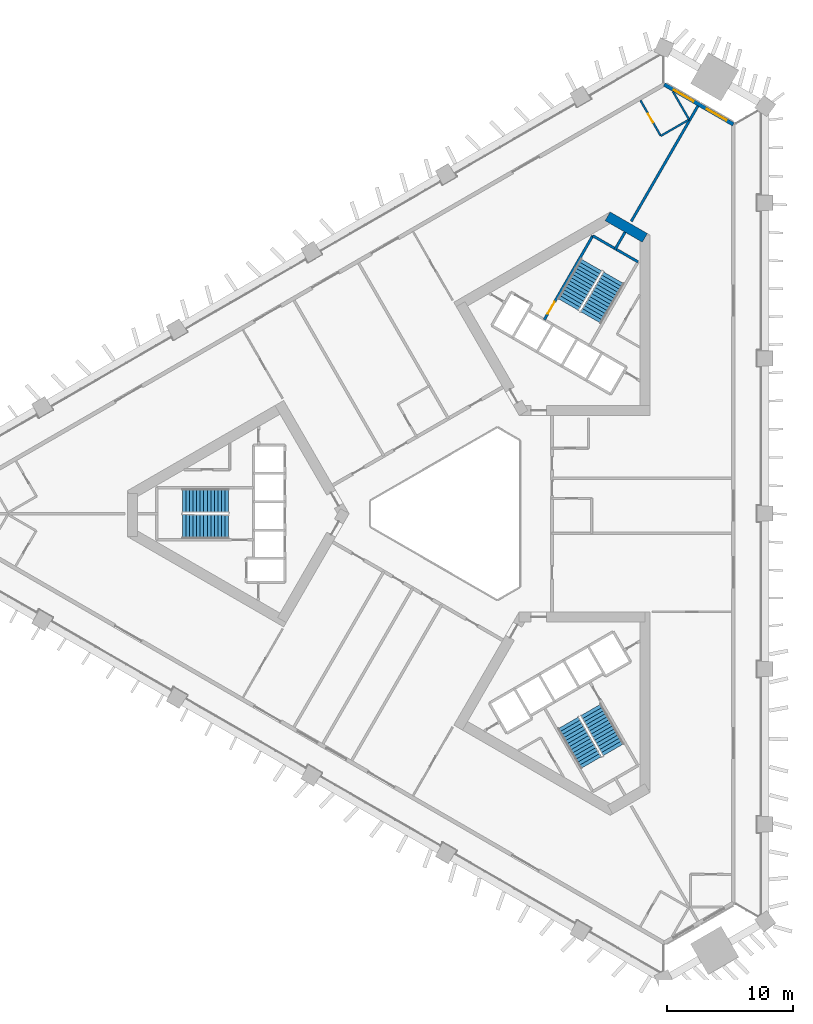
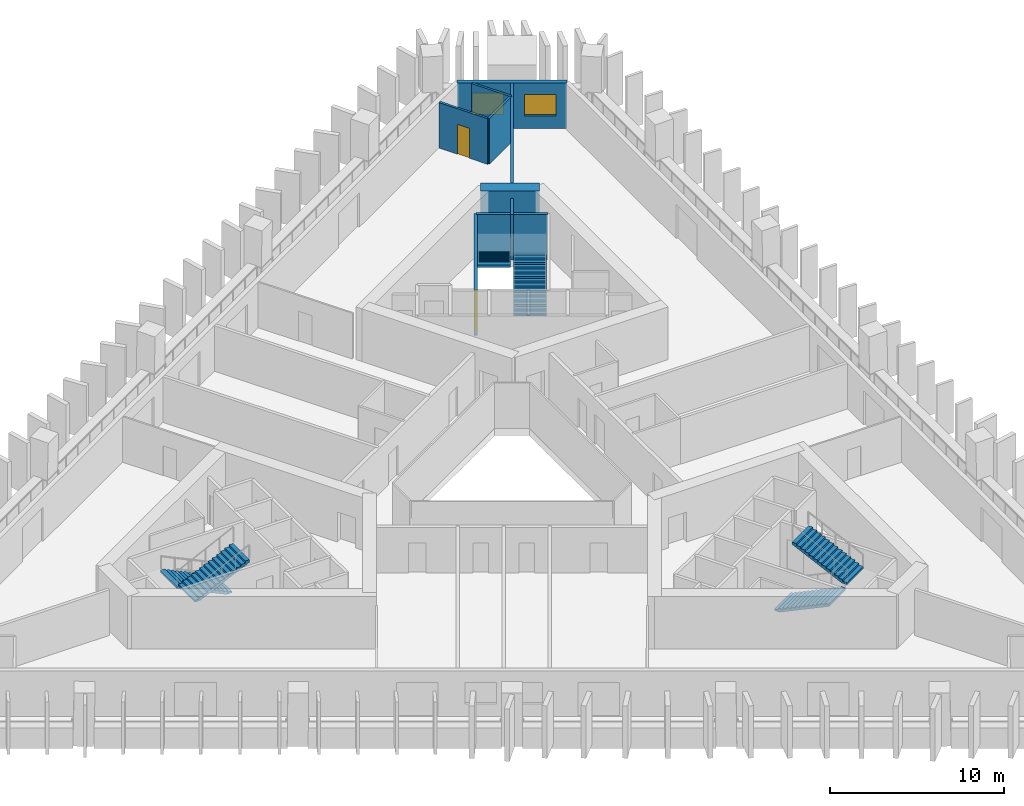
# One storey, part 6 of 10: 9 walls, 6 stair flights, 2 doors, 2 windows, 4 openings, 3 elements without a shape of their own.
"""IFC4 building model written with IfcOpenShell, lengths in metres."""

from ifc_helpers import new_model, si_unit, direction, frame, frame_2d, origin, place, context, subcontext, project, spatial, polyline, rectangle, outline, extrude, material, layer, layer_set, type_object, element, fill, aggregate, save


model = new_model("IFC4")

# Units and contexts
model_context = context("Model", 3, precision=1e-05, world=origin(), true_north=direction((0.0, 1.0)))
body_context = subcontext(model_context, "Body", "Model", "MODEL_VIEW")
ifc_project = project(units=[si_unit("LENGTHUNIT", "METRE"), si_unit("AREAUNIT", "SQUARE_METRE"), si_unit("VOLUMEUNIT", "CUBIC_METRE"), si_unit("PLANEANGLEUNIT", "RADIAN"), si_unit("MASSUNIT", "GRAM", prefix="KILO")], contexts=[model_context])

# Site, building, storey
site_placement = place(None, origin())
site = spatial("IfcSite", under=ifc_project, at=site_placement, CompositionType="ELEMENT")
building_placement = place(site_placement, origin())
building = spatial("IfcBuilding", under=site, at=building_placement, Name="Jabali Bay Hotel Tower and Convention Centre", CompositionType="ELEMENT")
storey_placement = place(building_placement, frame((0.0, 0.0, 30.0)))
storey = spatial("IfcBuildingStorey", under=building, at=storey_placement, Name="L05", CompositionType="ELEMENT", Elevation=30.0)

# Wall
ifc_material_1 = material(Name="Concrete C40", Category="concrete")
ifc_layer_1 = layer(ifc_material_1, 0.199951171875)
ifc_layer_set_1 = layer_set([ifc_layer_1], Name="Concrete C40")
wall_type_1 = type_object("IfcWallType", Name="Core partition wall 200", PredefinedType="PARTITIONING", material=ifc_layer_set_1)
wall_1_placement = place(storey_placement, frame((87.090087890625, 100.9404296875, 0.0), z_axis=(0.0, 0.0, 1.0), x_axis=(0.499956811548, 0.866050337213, 0.0)))
element("IfcWall", 1, at=wall_1_placement, inside=storey, type_object=wall_type_1, Name="Core wall 1.5 L05", PredefinedType="PARTITIONING", context=body_context, shape_type="SweptSolid", body=[
    extrude(rectangle(XDim=1.623291015625, YDim=0.199951171875, at=frame_2d((0.8115234375, 0.0))), origin(), (0.0, 0.0, 1.0), 3.199951171875),
])

# Wall, opening, door
ifc_layer_2 = layer(ifc_material_1, 0.199951171875)
ifc_layer_set_2 = layer_set([ifc_layer_2], Name="Concrete C40")
wall_type_2 = type_object("IfcWallType", Name="Core stair wall 200", PredefinedType="SOLIDWALL", material=ifc_layer_set_2)
wall_2_placement = place(storey_placement, frame((81.492919921875, 95.396240234375, 0.0), z_axis=(0.0, 0.0, 1.0), x_axis=(0.500006057782, 0.866021906294, 0.0)))
wall_2 = element("IfcWall", 2, at=wall_2_placement, inside=storey, type_object=wall_type_2, Name="Core wall 1.7 L05", PredefinedType="SOLIDWALL", context=body_context, shape_type="SweptSolid", body=[
    extrude(rectangle(XDim=7.7001953125, YDim=0.199951171875, at=frame_2d((3.85009765625, 0.0))), origin(), (0.0, 0.0, 1.0), 3.199951171875),
])
opening_1_placement = place(wall_2_placement, frame((0.550048828125, 0.0, 0.0)))
opening_1 = element("IfcOpeningElement", 3, at=opening_1_placement, cuts=wall_2, Name="Opening D208", PredefinedType="OPENING", context=body_context, shape_type="SweptSolid", body=[
    extrude(rectangle(XDim=1.10009765625, YDim=2.10009765625, at=frame_2d((0.550048828125, 1.050048828125))), frame((0.0, 0.1103515625, 0.0), z_axis=(0.0, -1.0, 0.0), x_axis=(1.0, 0.0, 0.0)), (0.0, 0.0, 1.0), 0.220947265625),
])
ifc_material_2 = material(Name="Fire-rated steel door", Category="steel")
door_type_1 = type_object("IfcDoorType", Name="Stair fire door 1100 x 2100", OperationType="NOTDEFINED", PredefinedType="NOTDEFINED", material=ifc_material_2)
door_1_placement = place(opening_1_placement, origin())
door_1 = element("IfcDoor", 4, at=door_1_placement, inside=storey, type_object=door_type_1, Name="Stair fire door D208", OperationType="SINGLE_SWING_RIGHT", OverallHeight=2.10009765625, OverallWidth=1.10009765625, PredefinedType="NOTDEFINED", context=body_context, shape_type="SweptSolid", body=[
    extrude(rectangle(XDim=1.10009765625, YDim=2.10009765625, at=frame_2d((0.550048828125, 1.050048828125))), frame((0.0, 0.02490234375, 0.0), z_axis=(0.0, -1.0, 0.0), x_axis=(1.0, 0.0, 0.0)), (0.0, 0.0, 1.0), 0.050048828125),
])
fill(opening_1, door_1)

# Walls
wall_3_placement = place(storey_placement, frame((88.93701171875, 99.989501953125, 0.0), z_axis=(0.0, 0.0, 1.0), x_axis=(-0.866004344652, 0.500036473714, 0.0)))
element("IfcWall", 5, at=wall_3_placement, inside=storey, type_object=wall_type_2, Name="Core wall 1.16 L05", PredefinedType="SOLIDWALL", context=body_context, shape_type="SweptSolid", body=[
    extrude(rectangle(XDim=4.150146484375, YDim=0.199951171875, at=frame_2d((2.0751953125, 0.0))), origin(), (0.0, 0.0, 1.0), 3.199951171875),
])
ifc_material_3 = material(Name="Concrete C60", Category="concrete")
ifc_layer_3 = layer(ifc_material_3, 0.800048828125)
ifc_layer_set_3 = layer_set([ifc_layer_3], Name="Concrete C60")
wall_type_3 = type_object("IfcWallType", Name="Core wall 800", PredefinedType="SHEAR", material=ifc_layer_set_3)
wall_4_placement = place(storey_placement, frame((89.47998046875, 101.896728515625, 0.0), z_axis=(0.0, 0.0, 1.0), x_axis=(-0.866034355626, 0.499984494636, 0.0)))
element("IfcWall", 6, at=wall_4_placement, inside=storey, type_object=wall_type_3, Name="Core wall 2.3 L05", PredefinedType="SHEAR", context=body_context, shape_type="SweptSolid", body=[
    extrude(rectangle(XDim=3.4140625, YDim=0.800048828125, at=frame_2d((1.70703125, 0.0))), origin(), (0.0, 0.0, 1.0), 3.699951171875),
])

# Wall, openings, windows
ifc_layer_4 = layer(ifc_material_1, 0.300048828125)
ifc_layer_set_4 = layer_set([ifc_layer_4], Name="Concrete C40")
wall_type_4 = type_object("IfcWallType", Name="External wall 300", PredefinedType="SOLIDWALL", material=ifc_layer_set_4)
wall_5_placement = place(storey_placement, frame((91.020751953125, 114.07568359375, 0.0), z_axis=(0.0, 0.0, 1.0), x_axis=(0.866033291922, -0.499986337096, 0.0)))
wall_5 = element("IfcWall", 7, at=wall_5_placement, inside=storey, type_object=wall_type_4, Name="External wall north-east chamfer L05", PredefinedType="SOLIDWALL", context=body_context, shape_type="SweptSolid", body=[
    extrude(rectangle(XDim=6.326904296875, YDim=0.300048828125, at=frame_2d((3.16357421875, 0.0))), origin(), (0.0, 0.0, 1.0), 3.199951171875),
])
opening_2_placement = place(wall_5_placement, frame((0.86279296875, 0.0, 0.89990234375)))
opening_2 = element("IfcOpeningElement", 8, at=opening_2_placement, cuts=wall_5, Name="Opening W1", PredefinedType="OPENING", context=body_context, shape_type="SweptSolid", body=[
    extrude(rectangle(XDim=1.800048828125, YDim=1.5, at=frame_2d((0.89990234375, 0.75))), frame((0.0, 0.16064453125, 0.0), z_axis=(0.0, -1.0, 0.0), x_axis=(1.0, 0.0, 0.0)), (0.0, 0.0, 1.0), 0.321044921875),
])
opening_3_placement = place(wall_5_placement, frame((3.887939453125, 0.0, 0.89990234375)))
opening_3 = element("IfcOpeningElement", 9, at=opening_3_placement, cuts=wall_5, Name="Opening W1", PredefinedType="OPENING", context=body_context, shape_type="SweptSolid", body=[
    extrude(rectangle(XDim=1.800048828125, YDim=1.5, at=frame_2d((0.89990234375, 0.75))), frame((0.0, 0.16064453125, 0.0), z_axis=(0.0, -1.0, 0.0), x_axis=(1.0, 0.0, 0.0)), (0.0, 0.0, 1.0), 0.321044921875),
])
ifc_material_4 = material(Name="Glass", Category="glass")
window_type = type_object("IfcWindowType", Name="Window 1800 x 1500", PartitioningType="SINGLE_PANEL", PredefinedType="WINDOW", material=ifc_material_4)
window_1_placement = place(opening_2_placement, origin())
window_1 = element("IfcWindow", 10, at=window_1_placement, inside=storey, type_object=window_type, Name="Window 504", OverallHeight=1.5, OverallWidth=1.800048828125, PartitioningType="SINGLE_PANEL", PredefinedType="WINDOW", context=body_context, shape_type="SweptSolid", body=[
    extrude(rectangle(XDim=1.800048828125, YDim=1.5, at=frame_2d((0.89990234375, 0.75))), frame((0.0, 0.030029296875, 0.0), z_axis=(0.0, -1.0, 0.0), x_axis=(1.0, 0.0, 0.0)), (0.0, 0.0, 1.0), 0.06005859375),
])
fill(opening_2, window_1)
window_2_placement = place(opening_3_placement, origin())
window_2 = element("IfcWindow", 11, at=window_2_placement, inside=storey, type_object=window_type, Name="Window 503", OverallHeight=1.5, OverallWidth=1.800048828125, PartitioningType="SINGLE_PANEL", PredefinedType="WINDOW", context=body_context, shape_type="SweptSolid", body=[
    extrude(rectangle(XDim=1.800048828125, YDim=1.5, at=frame_2d((0.89990234375, 0.75))), frame((0.0, 0.030029296875, 0.0), z_axis=(0.0, -1.0, 0.0), x_axis=(1.0, 0.0, 0.0)), (0.0, 0.0, 1.0), 0.06005859375),
])
fill(opening_3, window_2)

# Walls
ifc_material_5 = material(Name="Plasterboard on steel stud", Category="steel")
ifc_layer_5 = layer(ifc_material_5, 0.14990234375)
ifc_layer_set_5 = layer_set([ifc_layer_5], Name="Plasterboard on steel stud")
wall_type_5 = type_object("IfcWallType", Name="Partition 150 wet", PredefinedType="PARTITIONING", material=ifc_layer_set_5)
wall_6_placement = place(storey_placement, frame((91.70947265625, 113.506103515625, 0.0), z_axis=(0.0, 0.0, 1.0), x_axis=(0.500025035936, -0.866010948798, 0.0)))
element("IfcWall", 12, at=wall_6_placement, inside=storey, type_object=wall_type_5, Name="Partition P03 L05 016", PredefinedType="PARTITIONING", context=body_context, shape_type="SweptSolid", body=[
    extrude(rectangle(XDim=2.560791015625, YDim=0.14990234375, at=frame_2d((1.2802734375, 0.0))), origin(), (0.0, 0.0, 1.0), 3.199951171875),
])
wall_7_placement = place(storey_placement, frame((92.989990234375, 111.288330078125, 0.0), z_axis=(0.0, 0.0, 1.0), x_axis=(-0.866021400173, -0.500006934395, 0.0)))
element("IfcWall", 13, at=wall_7_placement, inside=storey, type_object=wall_type_5, Name="Partition P03 L05 017", PredefinedType="PARTITIONING", context=body_context, shape_type="SweptSolid", body=[
    extrude(rectangle(XDim=2.60009765625, YDim=0.14990234375, at=frame_2d((1.300048828125, 0.0))), origin(), (0.0, 0.0, 1.0), 3.199951171875),
])

# Wall, opening, door
wall_8_placement = place(storey_placement, frame((90.73828125, 109.98828125, 0.0), z_axis=(0.0, 0.0, 1.0), x_axis=(-0.494941047154, 0.868926556069, 0.0)))
wall_8 = element("IfcWall", 14, at=wall_8_placement, inside=storey, type_object=wall_type_5, Name="Partition P03 L05 018", PredefinedType="PARTITIONING", context=body_context, shape_type="SweptSolid", body=[
    extrude(rectangle(XDim=3.249755859375, YDim=0.14990234375, at=frame_2d((1.625, 0.0))), origin(), (0.0, 0.0, 1.0), 3.199951171875),
])
opening_4_placement = place(wall_8_placement, frame((1.22509765625, 0.0, 0.0)))
opening_4 = element("IfcOpeningElement", 15, at=opening_4_placement, cuts=wall_8, Name="Opening 0510", PredefinedType="OPENING", context=body_context, shape_type="SweptSolid", body=[
    extrude(rectangle(XDim=0.800048828125, YDim=2.10009765625, at=frame_2d((0.39990234375, 1.050048828125))), frame((0.0, 0.08544921875, 0.0), z_axis=(0.0, -1.0, 0.0), x_axis=(1.0, 0.0, 0.0)), (0.0, 0.0, 1.0), 0.1708984375),
])
ifc_material_6 = material(Name="Timber", Category="wood")
door_type_2 = type_object("IfcDoorType", Name="En-suite door 800 x 2100", OperationType="NOTDEFINED", PredefinedType="NOTDEFINED", material=ifc_material_6)
door_2_placement = place(opening_4_placement, origin())
door_2 = element("IfcDoor", 16, at=door_2_placement, inside=storey, type_object=door_type_2, Name="Door 0510", OperationType="SINGLE_SWING_LEFT", OverallHeight=2.10009765625, OverallWidth=0.800048828125, PredefinedType="NOTDEFINED", context=body_context, shape_type="SweptSolid", body=[
    extrude(rectangle(XDim=0.800048828125, YDim=2.10009765625, at=frame_2d((0.39990234375, 1.050048828125))), frame((0.0, 0.02490234375, 0.0), z_axis=(0.0, -1.0, 0.0), x_axis=(1.0, 0.0, 0.0)), (0.0, 0.0, 1.0), 0.050048828125),
])
fill(opening_4, door_2)

# Wall
ifc_layer_6 = layer(ifc_material_5, 0.199951171875)
ifc_layer_set_6 = layer_set([ifc_layer_6], Name="Plasterboard on steel stud")
wall_type_6 = type_object("IfcWallType", Name="Partition 200 party", PredefinedType="PARTITIONING", material=ifc_layer_set_6)
wall_9_placement = place(storey_placement, frame((93.68603515625, 112.364990234375, 0.0), z_axis=(0.0, 0.0, 1.0), x_axis=(-0.499997037832, -0.866027113986, 0.0)))
element("IfcWall", 17, at=wall_9_placement, inside=storey, type_object=wall_type_6, Name="Partition P01 L05 013", PredefinedType="PARTITIONING", context=body_context, shape_type="SweptSolid", body=[
    extrude(rectangle(XDim=10.56982421875, YDim=0.199951171875, at=frame_2d((5.284912109375, 0.0))), origin(), (0.0, 0.0, 1.0), 3.199951171875),
])

# Stair, stair flights
stair_type = type_object("IfcStairType", Name="Exit stair 1900", PredefinedType="HALF_TURN_STAIR", material=ifc_material_1)
stair_1_placement = place(storey_placement, origin())
stair_1 = element("IfcStair", 18, at=stair_1_placement, inside=storey, type_object=stair_type, Name="L05 Exit Stair 1", PredefinedType="HALF_TURN_STAIR")
stair_flight_type = type_object("IfcStairFlightType", Name="Stair flight concrete 150", PredefinedType="STRAIGHT", material=ifc_material_1)
stair_flight_1_placement = place(storey_placement, frame((56.419921875, 81.02490234375, 0.0), z_axis=(0.0, 0.0, 1.0), x_axis=(-1.0, 0.0, 0.0)))
stair_flight_1 = element("IfcStairFlight", 19, at=stair_flight_1_placement, type_object=stair_flight_type, Name="ST1 flight 1", NumberOfRisers=14, NumberOfTreads=13, PredefinedType="STRAIGHT", RiserHeight=0.132142857, TreadLength=0.28, context=body_context, shape_type="SweptSolid", body=[
    extrude(outline(polyline([(0.0, 0.0), (0.0, 0.132080078125), (0.280029296875, 0.132080078125), (0.280029296875, 0.264404296875), (0.56005859375, 0.264404296875), (0.56005859375, 0.396484375), (0.840087890625, 0.396484375), (0.840087890625, 0.528564453125), (1.1201171875, 0.528564453125), (1.1201171875, 0.66064453125), (1.39990234375, 0.66064453125), (1.39990234375, 0.79296875), (1.679931640625, 0.79296875), (1.679931640625, 0.925048828125), (1.9599609375, 0.925048828125), (1.9599609375, 1.05712890625), (2.239990234375, 1.05712890625), (2.239990234375, 1.189208984375), (2.52001953125, 1.189208984375), (2.52001953125, 1.321533203125), (2.800048828125, 1.321533203125), (2.800048828125, 1.45361328125), (3.080078125, 1.45361328125), (3.080078125, 1.585693359375), (3.360107421875, 1.585693359375), (3.360107421875, 1.7177734375), (3.639892578125, 1.7177734375), (3.639892578125, 1.85009765625), (3.639892578125, 1.552001953125), (0.351318359375, 0.0), (0.0, 0.0)])), frame((0.0, 0.949951171875, 0.0), z_axis=(0.0, -1.0, 0.0), x_axis=(1.0, 0.0, 0.0)), (0.0, 0.0, 1.0), 1.89990234375),
])
stair_flight_2_placement = place(storey_placement, frame((52.780029296875, 78.97509765625, 1.85009765625), z_axis=(0.0, 0.0, 1.0), x_axis=(1.0, 0.0, 0.0)))
stair_flight_2 = element("IfcStairFlight", 20, at=stair_flight_2_placement, type_object=stair_flight_type, Name="ST1 flight 2", NumberOfRisers=14, NumberOfTreads=13, PredefinedType="STRAIGHT", RiserHeight=0.132142857, TreadLength=0.28, context=body_context, shape_type="SweptSolid", body=[
    extrude(outline(polyline([(0.0, 0.0), (0.0, 0.132080078125), (0.280029296875, 0.132080078125), (0.280029296875, 0.264404296875), (0.56005859375, 0.264404296875), (0.56005859375, 0.396484375), (0.840087890625, 0.396484375), (0.840087890625, 0.528564453125), (1.1201171875, 0.528564453125), (1.1201171875, 0.66064453125), (1.39990234375, 0.66064453125), (1.39990234375, 0.79296875), (1.679931640625, 0.79296875), (1.679931640625, 0.925048828125), (1.9599609375, 0.925048828125), (1.9599609375, 1.05712890625), (2.239990234375, 1.05712890625), (2.239990234375, 1.189208984375), (2.52001953125, 1.189208984375), (2.52001953125, 1.321533203125), (2.800048828125, 1.321533203125), (2.800048828125, 1.45361328125), (3.080078125, 1.45361328125), (3.080078125, 1.585693359375), (3.360107421875, 1.585693359375), (3.360107421875, 1.7177734375), (3.639892578125, 1.7177734375), (3.639892578125, 1.85009765625), (3.639892578125, 1.552001953125), (0.351318359375, 0.0), (0.0, 0.0)])), frame((0.0, 0.949951171875, 0.0), z_axis=(0.0, -1.0, 0.0), x_axis=(1.0, 0.0, 0.0)), (0.0, 0.0, 1.0), 1.89990234375),
])
aggregate(stair_1, [stair_flight_1, stair_flight_2])

stair_2_placement = place(storey_placement, origin())
stair_2 = element("IfcStair", 21, at=stair_2_placement, inside=storey, type_object=stair_type, Name="L05 Exit Stair 2", PredefinedType="HALF_TURN_STAIR")
stair_flight_3_placement = place(storey_placement, frame((85.177734375, 95.578369140625, 0.0), z_axis=(0.0, 0.0, 1.0), x_axis=(0.5, 0.866025403784, 0.0)))
stair_flight_3 = element("IfcStairFlight", 22, at=stair_flight_3_placement, type_object=stair_flight_type, Name="ST2 flight 1", NumberOfRisers=14, NumberOfTreads=13, PredefinedType="STRAIGHT", RiserHeight=0.132142857, TreadLength=0.28, context=body_context, shape_type="SweptSolid", body=[
    extrude(outline(polyline([(0.0, 0.0), (0.0, 0.132080078125), (0.280029296875, 0.132080078125), (0.280029296875, 0.264404296875), (0.56005859375, 0.264404296875), (0.56005859375, 0.396484375), (0.840087890625, 0.396484375), (0.840087890625, 0.528564453125), (1.1201171875, 0.528564453125), (1.1201171875, 0.66064453125), (1.39990234375, 0.66064453125), (1.39990234375, 0.79296875), (1.679931640625, 0.79296875), (1.679931640625, 0.925048828125), (1.9599609375, 0.925048828125), (1.9599609375, 1.05712890625), (2.239990234375, 1.05712890625), (2.239990234375, 1.189208984375), (2.52001953125, 1.189208984375), (2.52001953125, 1.321533203125), (2.800048828125, 1.321533203125), (2.800048828125, 1.45361328125), (3.080078125, 1.45361328125), (3.080078125, 1.585693359375), (3.360107421875, 1.585693359375), (3.360107421875, 1.7177734375), (3.639892578125, 1.7177734375), (3.639892578125, 1.85009765625), (3.639892578125, 1.552001953125), (0.351318359375, 0.0), (0.0, 0.0)])), frame((0.0, 0.949951171875, 0.0), z_axis=(0.0, -1.0, 0.0), x_axis=(1.0, 0.0, 0.0)), (0.0, 0.0, 1.0), 1.89990234375),
])
stair_flight_4_placement = place(storey_placement, frame((85.222412109375, 99.755615234375, 1.85009765625), z_axis=(0.0, 0.0, 1.0), x_axis=(-0.5, -0.866025403784, 0.0)))
stair_flight_4 = element("IfcStairFlight", 23, at=stair_flight_4_placement, type_object=stair_flight_type, Name="ST2 flight 2", NumberOfRisers=14, NumberOfTreads=13, PredefinedType="STRAIGHT", RiserHeight=0.132142857, TreadLength=0.28, context=body_context, shape_type="SweptSolid", body=[
    extrude(outline(polyline([(0.0, 0.0), (0.0, 0.132080078125), (0.280029296875, 0.132080078125), (0.280029296875, 0.264404296875), (0.56005859375, 0.264404296875), (0.56005859375, 0.396484375), (0.840087890625, 0.396484375), (0.840087890625, 0.528564453125), (1.1201171875, 0.528564453125), (1.1201171875, 0.66064453125), (1.39990234375, 0.66064453125), (1.39990234375, 0.79296875), (1.679931640625, 0.79296875), (1.679931640625, 0.925048828125), (1.9599609375, 0.925048828125), (1.9599609375, 1.05712890625), (2.239990234375, 1.05712890625), (2.239990234375, 1.189208984375), (2.52001953125, 1.189208984375), (2.52001953125, 1.321533203125), (2.800048828125, 1.321533203125), (2.800048828125, 1.45361328125), (3.080078125, 1.45361328125), (3.080078125, 1.585693359375), (3.360107421875, 1.585693359375), (3.360107421875, 1.7177734375), (3.639892578125, 1.7177734375), (3.639892578125, 1.85009765625), (3.639892578125, 1.552001953125), (0.351318359375, 0.0), (0.0, 0.0)])), frame((0.0, 0.949951171875, 0.0), z_axis=(0.0, -1.0, 0.0), x_axis=(1.0, 0.0, 0.0)), (0.0, 0.0, 1.0), 1.89990234375),
])
aggregate(stair_2, [stair_flight_3, stair_flight_4])

stair_3_placement = place(storey_placement, origin())
stair_3 = element("IfcStair", 24, at=stair_3_placement, inside=storey, type_object=stair_type, Name="L05 Exit Stair 3", PredefinedType="HALF_TURN_STAIR")
stair_flight_5_placement = place(storey_placement, frame((83.40234375, 63.396728515625, 0.0), z_axis=(0.0, 0.0, 1.0), x_axis=(0.5, -0.866025403784, 0.0)))
stair_flight_5 = element("IfcStairFlight", 25, at=stair_flight_5_placement, type_object=stair_flight_type, Name="ST3 flight 1", NumberOfRisers=14, NumberOfTreads=13, PredefinedType="STRAIGHT", RiserHeight=0.132142857, TreadLength=0.28, context=body_context, shape_type="SweptSolid", body=[
    extrude(outline(polyline([(0.0, 0.0), (0.0, 0.132080078125), (0.280029296875, 0.132080078125), (0.280029296875, 0.264404296875), (0.56005859375, 0.264404296875), (0.56005859375, 0.396484375), (0.840087890625, 0.396484375), (0.840087890625, 0.528564453125), (1.1201171875, 0.528564453125), (1.1201171875, 0.66064453125), (1.39990234375, 0.66064453125), (1.39990234375, 0.79296875), (1.679931640625, 0.79296875), (1.679931640625, 0.925048828125), (1.9599609375, 0.925048828125), (1.9599609375, 1.05712890625), (2.239990234375, 1.05712890625), (2.239990234375, 1.189208984375), (2.52001953125, 1.189208984375), (2.52001953125, 1.321533203125), (2.800048828125, 1.321533203125), (2.800048828125, 1.45361328125), (3.080078125, 1.45361328125), (3.080078125, 1.585693359375), (3.360107421875, 1.585693359375), (3.360107421875, 1.7177734375), (3.639892578125, 1.7177734375), (3.639892578125, 1.85009765625), (3.639892578125, 1.552001953125), (0.351318359375, 0.0), (0.0, 0.0)])), frame((0.0, 0.949951171875, 0.0), z_axis=(0.0, -1.0, 0.0), x_axis=(1.0, 0.0, 0.0)), (0.0, 0.0, 1.0), 1.89990234375),
])
stair_flight_6_placement = place(storey_placement, frame((86.99755859375, 61.26953125, 1.85009765625), z_axis=(0.0, 0.0, 1.0), x_axis=(-0.5, 0.866025403784, 0.0)))
stair_flight_6 = element("IfcStairFlight", 26, at=stair_flight_6_placement, type_object=stair_flight_type, Name="ST3 flight 2", NumberOfRisers=14, NumberOfTreads=13, PredefinedType="STRAIGHT", RiserHeight=0.132142857, TreadLength=0.28, context=body_context, shape_type="SweptSolid", body=[
    extrude(outline(polyline([(0.0, 0.0), (0.0, 0.132080078125), (0.280029296875, 0.132080078125), (0.280029296875, 0.264404296875), (0.56005859375, 0.264404296875), (0.56005859375, 0.396484375), (0.840087890625, 0.396484375), (0.840087890625, 0.528564453125), (1.1201171875, 0.528564453125), (1.1201171875, 0.66064453125), (1.39990234375, 0.66064453125), (1.39990234375, 0.79296875), (1.679931640625, 0.79296875), (1.679931640625, 0.925048828125), (1.9599609375, 0.925048828125), (1.9599609375, 1.05712890625), (2.239990234375, 1.05712890625), (2.239990234375, 1.189208984375), (2.52001953125, 1.189208984375), (2.52001953125, 1.321533203125), (2.800048828125, 1.321533203125), (2.800048828125, 1.45361328125), (3.080078125, 1.45361328125), (3.080078125, 1.585693359375), (3.360107421875, 1.585693359375), (3.360107421875, 1.7177734375), (3.639892578125, 1.7177734375), (3.639892578125, 1.85009765625), (3.639892578125, 1.552001953125), (0.351318359375, 0.0), (0.0, 0.0)])), frame((0.0, 0.949951171875, 0.0), z_axis=(0.0, -1.0, 0.0), x_axis=(1.0, 0.0, 0.0)), (0.0, 0.0, 1.0), 1.89990234375),
])
aggregate(stair_3, [stair_flight_5, stair_flight_6])

save(model, "model.ifc")
